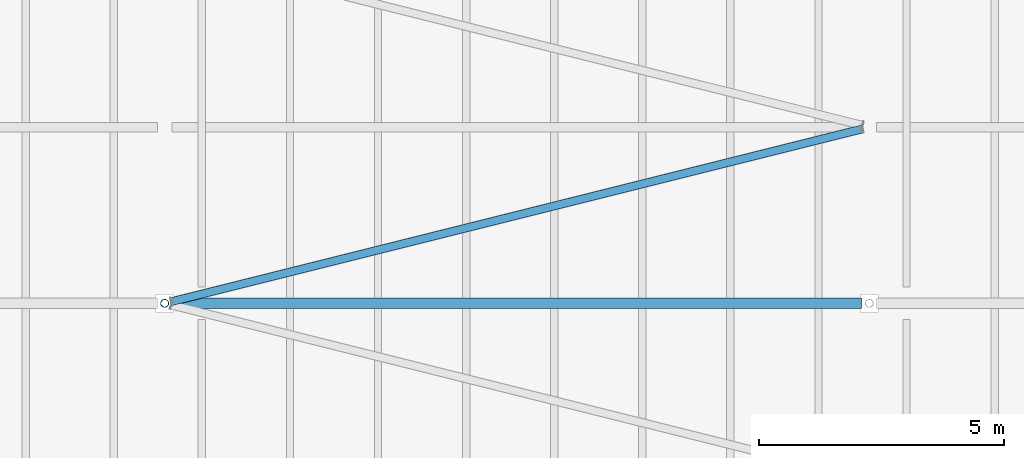
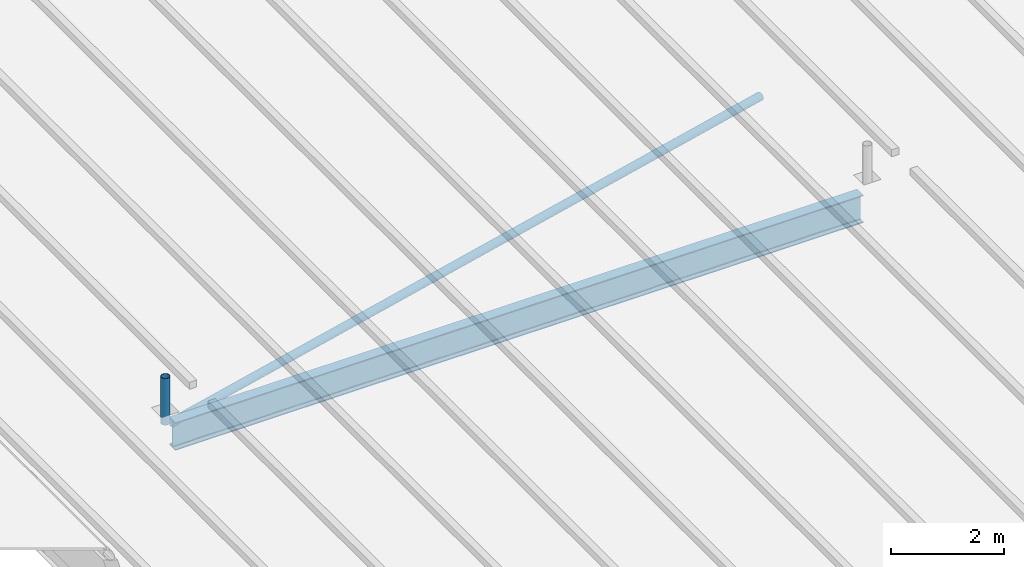
# One storey, part 16 of 120: 2 members, 1 beam.
"""IFC4 building model written with IfcOpenShell, lengths in metres."""

from ifc_helpers import new_model, si_unit, direction, frame, origin, origin_2d, place, context, subcontext, project, spatial, hollow_circle, i_section, extrude, material, material_profile, profile_set, type_object, element, save


model = new_model("IFC4")

# Units and contexts
model_context = context("Model", 3, precision=1e-05, world=origin(), true_north=direction((0.0, 1.0)))
body_context = subcontext(model_context, "Body", "Model", "MODEL_VIEW")
ifc_project = project(units=[si_unit("LENGTHUNIT", "METRE"), si_unit("AREAUNIT", "SQUARE_METRE"), si_unit("VOLUMEUNIT", "CUBIC_METRE"), si_unit("PLANEANGLEUNIT", "RADIAN"), si_unit("MASSUNIT", "GRAM", prefix="KILO")], contexts=[model_context])

# Site, building, storey
site_placement = place(None, origin())
site = spatial("IfcSite", under=ifc_project, at=site_placement, CompositionType="ELEMENT")
building_placement = place(site_placement, origin())
building = spatial("IfcBuilding", under=site, at=building_placement, Name="Kupolbacken Congress Centre", CompositionType="ELEMENT")
storey_placement = place(building_placement, frame((0.0, 0.0, 21.60009765625)))
storey = spatial("IfcBuildingStorey", under=building, at=storey_placement, Name="L06", CompositionType="ELEMENT", Elevation=21.60009765625)

# Beam
ifc_material_1 = material(Name="Steel S355", Category="steel")
ifc_material_profile_1 = material_profile(ifc_material_1, i_section(OverallWidth=0.219970703125, OverallDepth=0.60009765625, WebThickness=0.011962890625, FlangeThickness=0.01904296875, FilletRadius=0.02392578125, at=origin_2d()), Name="IPE 600")
ifc_profile_set_1 = profile_set([ifc_material_profile_1], Name="Steel S355")
beam_type = type_object("IfcBeamType", Name="B11 beam IPE 600", PredefinedType="BEAM", material=ifc_profile_set_1)
beam_placement = place(storey_placement, frame((122.544921875, 61.199951171875, -0.300048828125), z_axis=(1.0, 0.0, 0.0), x_axis=(0.0, 1.0, 0.0)))
element("IfcBeam", 1, at=beam_placement, inside=storey, type_object=beam_type, Name="HR/X05-03", PredefinedType="BEAM", context=body_context, shape_type="SweptSolid", body=[
    extrude(i_section(OverallWidth=0.219970703125, OverallDepth=0.60009765625, WebThickness=0.011962890625, FlangeThickness=0.01904296875, FilletRadius=0.02392578125, at=origin_2d()), origin(), (0.0, 0.0, 1.0), 14.110107421875),
])

# Members
ifc_material_2 = material(Name="Steel S355", Category="steel")
ifc_material_profile_2 = material_profile(ifc_material_2, hollow_circle(Radius=0.084228515625, WallThickness=0.008056640625, at=origin_2d()), Name="CHS 168.3 x 8")
ifc_profile_set_2 = profile_set([ifc_material_profile_2], Name="Steel S355")
member_type_1 = type_object("IfcMemberType", Name="M20 transfer truss post CHS 168.3 x 8", PredefinedType="STRUT", material=ifc_profile_set_2)
member_1_placement = place(storey_placement, frame((122.39990234375, 61.199951171875, -0.010009765625), z_axis=(0.0, 0.0, 1.0), x_axis=(1.0, 0.0, 0.0)))
element("IfcMember", 2, at=member_1_placement, inside=storey, type_object=member_type_1, Name="Roof stay anchor post M3S.1", PredefinedType="STRUT", context=body_context, shape_type="SweptSolid", body=[
    extrude(hollow_circle(Radius=0.084228515625, WallThickness=0.008056640625, at=origin_2d()), origin(), (0.0, 0.0, 1.0), 1.010009765625),
])
ifc_material_3 = material(Name="Steel S355", Category="steel")
ifc_material_profile_3 = material_profile(ifc_material_3, hollow_circle(Radius=0.084228515625, WallThickness=0.008056640625, at=origin_2d()), Name="CHS 168.3 x 8")
ifc_profile_set_3 = profile_set([ifc_material_profile_3], Name="Steel S355")
member_type_2 = type_object("IfcMemberType", Name="M21 brace CHS 168.3 x 8", PredefinedType="BRACE", material=ifc_profile_set_3)
member_2_placement = place(storey_placement, frame((122.540771484375, 61.235107421875, -0.084228515625), z_axis=(0.970140526498, 0.24254351949, 0.0), x_axis=(-0.24254351949, 0.970140526498, 0.0)))
element("IfcMember", 3, at=member_2_placement, inside=storey, type_object=member_type_2, Name="HR/RB/03-05", PredefinedType="BRACE", context=body_context, shape_type="SweptSolid", body=[
    extrude(hollow_circle(Radius=0.084228515625, WallThickness=0.008056640625, at=origin_2d()), origin(), (0.0, 0.0, 1.0), 14.55322265625),
])

save(model, "model.ifc")
